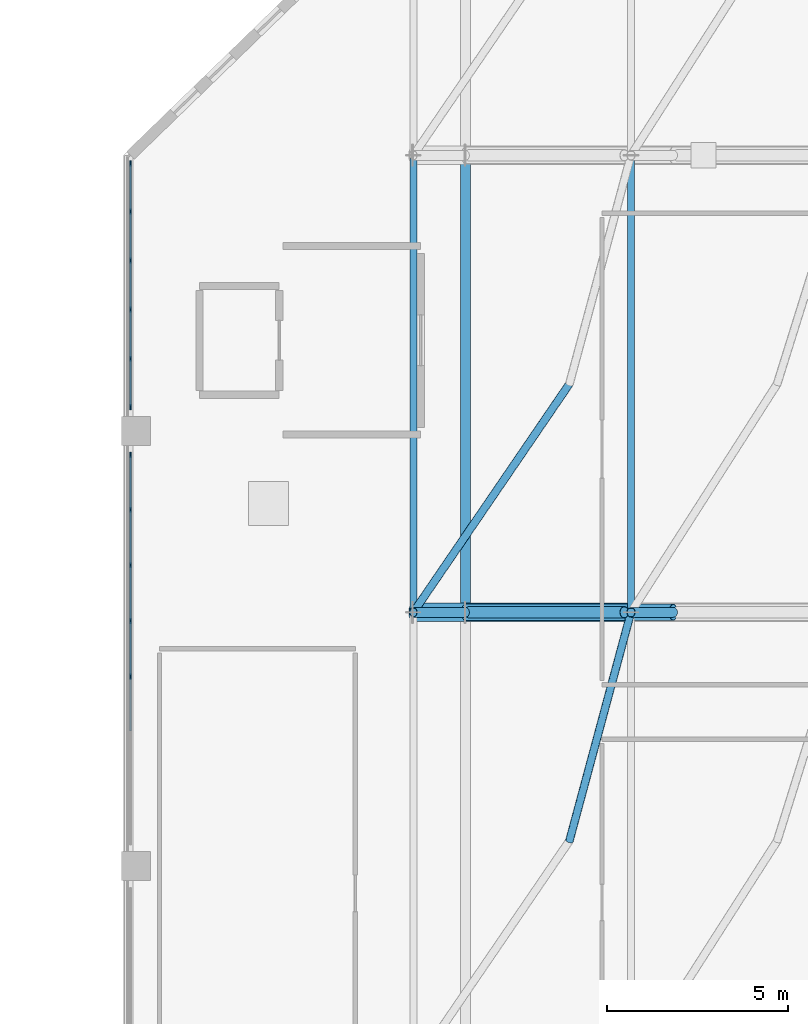
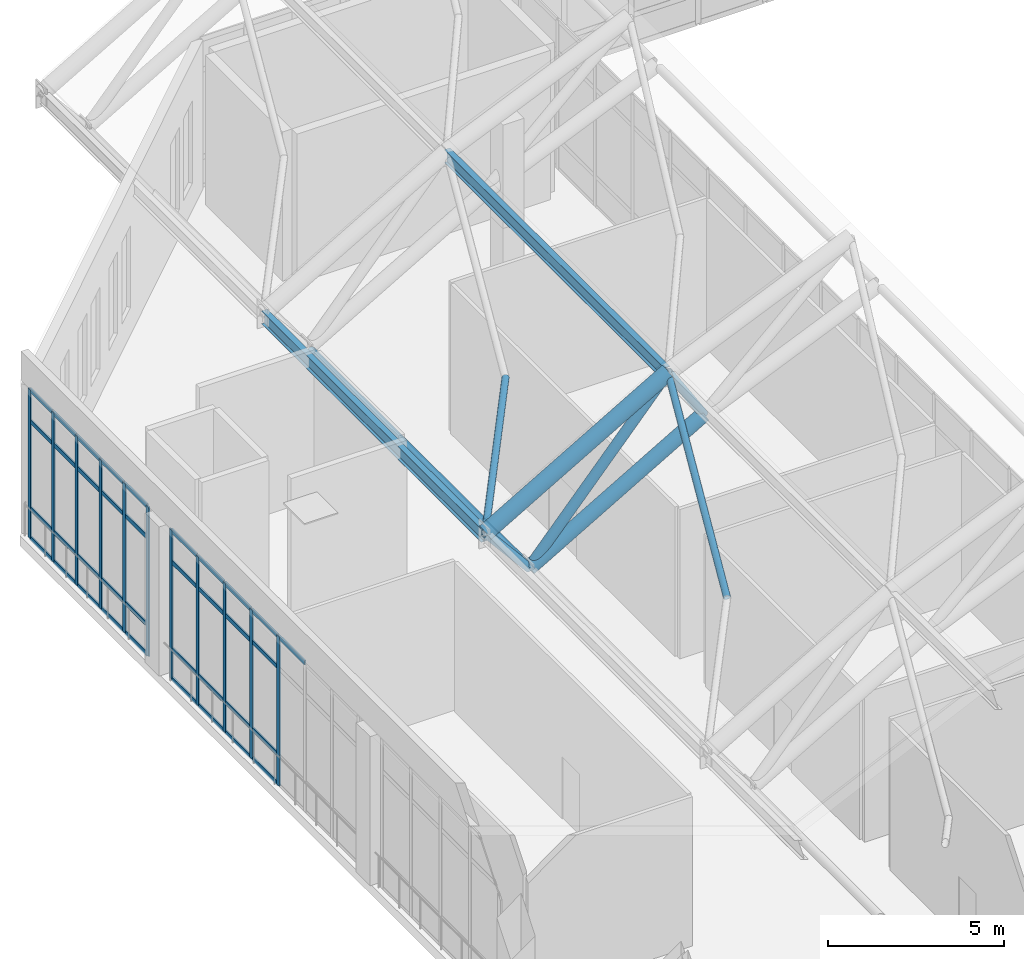
# One storey, part 14 of 42: 58 members, 2 elements without a shape of their own.
"""IFC4 building model written with IfcOpenShell, lengths in metres."""

from ifc_helpers import new_model, si_unit, derived_unit, direction, frame, origin, origin_2d, place, context, subcontext, project, spatial, rectangle, hollow_circle, i_section, extrude, material, layer, layer_set, material_profile, profile_set, type_object, element, aggregate, save


model = new_model("IFC4")

# Units and contexts
model_context = context("Model", 3, precision=1e-05, world=origin(), true_north=direction((0.0, 1.0)))
body_context = subcontext(model_context, "Body", "Model", "MODEL_VIEW")
ifc_project = project(units=[si_unit("LENGTHUNIT", "METRE"), si_unit("AREAUNIT", "SQUARE_METRE"), si_unit("VOLUMEUNIT", "CUBIC_METRE"), si_unit("PLANEANGLEUNIT", "RADIAN"), si_unit("MASSUNIT", "GRAM", prefix="KILO"), derived_unit("THERMALTRANSMITTANCEUNIT", [(si_unit("MASSUNIT", "GRAM", prefix="KILO"), 1), (si_unit("TIMEUNIT", "SECOND"), -3), (si_unit("THERMODYNAMICTEMPERATUREUNIT", "KELVIN"), -1)])], contexts=[model_context])

# Site, building, storey
site_placement = place(None, origin())
site = spatial("IfcSite", under=ifc_project, at=site_placement, CompositionType="ELEMENT")
building_placement = place(site_placement, origin())
building = spatial("IfcBuilding", under=site, at=building_placement, Name="Valcora Ridge Arena", CompositionType="ELEMENT")
storey_placement = place(building_placement, frame((0.0, 0.0, 26.39990234375)))
storey = spatial("IfcBuildingStorey", under=building, at=storey_placement, Name="L05", CompositionType="ELEMENT", Elevation=26.39990234375)

# Curtain wall, members
ifc_material_1 = material(Name="Anodised dark bronze architectural aluminium 6063-T6", Category="aluminium")
ifc_layer_1 = layer(ifc_material_1, 0.14990234375, Name="Anodised dark bronze architectural aluminium 6063-T6")
ifc_layer_set_1 = layer_set([ifc_layer_1], Name="Anodised dark bronze architectural aluminium 6063-T6")
curtain_wall_type_1 = type_object("IfcCurtainWallType", Name="TY-CURTAINWALL-CW-V1-SKY-107X52", PredefinedType="NOTDEFINED", material=ifc_layer_set_1)
curtain_wall_1_placement = place(storey_placement, origin())
curtain_wall_1 = element("IfcCurtainWall", 1, at=curtain_wall_1_placement, inside=storey, type_object=curtain_wall_type_1, Name="CW-V1-SKY-107X52 CW-0167", PredefinedType="NOTDEFINED")
ifc_material_profile_1 = material_profile(ifc_material_1, rectangle(XDim=0.050048828125, YDim=0.14990234375, at=origin_2d()), Name="ALU MULLION 50x150")
ifc_profile_set_1 = profile_set([ifc_material_profile_1], Name="Anodised dark bronze architectural aluminium 6063-T6")
member_type_1 = type_object("IfcMemberType", Name="TY-MEM-CWM-50x150", PredefinedType="MULLION", material=ifc_profile_set_1)
member_1_placement = place(storey_placement, frame((16.199951171875, 81.234375, 0.0), z_axis=(0.0, 0.0, 1.0), x_axis=(-1.0, 0.0, 0.0)))
member_1 = element("IfcMember", 2, at=member_1_placement, type_object=member_type_1, Name="CW-0167/CWM-50x150/M03", PredefinedType="MULLION", context=body_context, shape_type="SweptSolid", body=[
    extrude(rectangle(XDim=0.050048828125, YDim=0.14990234375, at=origin_2d()), origin(), (0.0, 0.0, 1.0), 5.18017578125),
])
member_2_placement = place(storey_placement, frame((16.199951171875, 82.765625, 0.0), z_axis=(0.0, 0.0, 1.0), x_axis=(-1.0, 0.0, 0.0)))
member_2 = element("IfcMember", 3, at=member_2_placement, type_object=member_type_1, Name="CW-0167/CWM-50x150/M04", PredefinedType="MULLION", context=body_context, shape_type="SweptSolid", body=[
    extrude(rectangle(XDim=0.050048828125, YDim=0.14990234375, at=origin_2d()), origin(), (0.0, 0.0, 1.0), 5.18017578125),
])
member_3_placement = place(storey_placement, frame((16.199951171875, 84.297119140625, 0.0), z_axis=(0.0, 0.0, 1.0), x_axis=(-1.0, 0.0, 0.0)))
member_3 = element("IfcMember", 4, at=member_3_placement, type_object=member_type_1, Name="CW-0167/CWM-50x150/M05", PredefinedType="MULLION", context=body_context, shape_type="SweptSolid", body=[
    extrude(rectangle(XDim=0.050048828125, YDim=0.14990234375, at=origin_2d()), origin(), (0.0, 0.0, 1.0), 5.18017578125),
])
member_4_placement = place(storey_placement, frame((16.199951171875, 85.82861328125, 0.0), z_axis=(0.0, 0.0, 1.0), x_axis=(-1.0, 0.0, 0.0)))
member_4 = element("IfcMember", 5, at=member_4_placement, type_object=member_type_1, Name="CW-0167/CWM-50x150/M06", PredefinedType="MULLION", context=body_context, shape_type="SweptSolid", body=[
    extrude(rectangle(XDim=0.050048828125, YDim=0.14990234375, at=origin_2d()), origin(), (0.0, 0.0, 1.0), 5.18017578125),
])
member_5_placement = place(storey_placement, frame((16.199951171875, 87.3349609375, 0.0), z_axis=(0.0, 0.0, 1.0), x_axis=(-1.0, 0.0, 0.0)))
member_5 = element("IfcMember", 6, at=member_5_placement, type_object=member_type_1, Name="CW-0167/CWM-50x150/M07", PredefinedType="MULLION", context=body_context, shape_type="SweptSolid", body=[
    extrude(rectangle(XDim=0.050048828125, YDim=0.14990234375, at=origin_2d()), origin(), (0.0, 0.0, 1.0), 5.18017578125),
])

ifc_layer_2 = layer(ifc_material_1, 0.14990234375, Name="Anodised dark bronze architectural aluminium 6063-T6")
ifc_layer_set_2 = layer_set([ifc_layer_2], Name="Anodised dark bronze architectural aluminium 6063-T6")
curtain_wall_type_2 = type_object("IfcCurtainWallType", Name="TY-CURTAINWALL-CW-V1-SKY-068X52", PredefinedType="NOTDEFINED", material=ifc_layer_set_2)
curtain_wall_2_placement = place(storey_placement, origin())
curtain_wall_2 = element("IfcCurtainWall", 7, at=curtain_wall_2_placement, inside=storey, type_object=curtain_wall_type_2, Name="CW-V1-SKY-068X52 CW-0168", PredefinedType="NOTDEFINED")
member_6_placement = place(storey_placement, frame((16.199951171875, 88.6650390625, 0.0), z_axis=(0.0, 0.0, 1.0), x_axis=(-1.0, 0.0, 0.0)))
member_6 = element("IfcMember", 8, at=member_6_placement, type_object=member_type_1, Name="CW-0168/CWM-50x150/M00", PredefinedType="MULLION", context=body_context, shape_type="SweptSolid", body=[
    extrude(rectangle(XDim=0.050048828125, YDim=0.14990234375, at=origin_2d()), origin(), (0.0, 0.0, 1.0), 5.18017578125),
])
member_7_placement = place(storey_placement, frame((16.199951171875, 89.991943359375, 0.0), z_axis=(0.0, 0.0, 1.0), x_axis=(-1.0, 0.0, 0.0)))
member_7 = element("IfcMember", 9, at=member_7_placement, type_object=member_type_1, Name="CW-0168/CWM-50x150/M01", PredefinedType="MULLION", context=body_context, shape_type="SweptSolid", body=[
    extrude(rectangle(XDim=0.050048828125, YDim=0.14990234375, at=origin_2d()), origin(), (0.0, 0.0, 1.0), 5.18017578125),
])
member_8_placement = place(storey_placement, frame((16.199951171875, 91.343994140625, 0.0), z_axis=(0.0, 0.0, 1.0), x_axis=(-1.0, 0.0, 0.0)))
member_8 = element("IfcMember", 10, at=member_8_placement, type_object=member_type_1, Name="CW-0168/CWM-50x150/M02", PredefinedType="MULLION", context=body_context, shape_type="SweptSolid", body=[
    extrude(rectangle(XDim=0.050048828125, YDim=0.14990234375, at=origin_2d()), origin(), (0.0, 0.0, 1.0), 5.18017578125),
])
member_9_placement = place(storey_placement, frame((16.199951171875, 92.696044921875, 0.0), z_axis=(0.0, 0.0, 1.0), x_axis=(-1.0, 0.0, 0.0)))
member_9 = element("IfcMember", 11, at=member_9_placement, type_object=member_type_1, Name="CW-0168/CWM-50x150/M03", PredefinedType="MULLION", context=body_context, shape_type="SweptSolid", body=[
    extrude(rectangle(XDim=0.050048828125, YDim=0.14990234375, at=origin_2d()), origin(), (0.0, 0.0, 1.0), 5.18017578125),
])
member_10_placement = place(storey_placement, frame((16.199951171875, 94.048095703125, 0.0), z_axis=(0.0, 0.0, 1.0), x_axis=(-1.0, 0.0, 0.0)))
member_10 = element("IfcMember", 12, at=member_10_placement, type_object=member_type_1, Name="CW-0168/CWM-50x150/M04", PredefinedType="MULLION", context=body_context, shape_type="SweptSolid", body=[
    extrude(rectangle(XDim=0.050048828125, YDim=0.14990234375, at=origin_2d()), origin(), (0.0, 0.0, 1.0), 5.18017578125),
])
member_11_placement = place(storey_placement, frame((16.199951171875, 95.375, 0.0), z_axis=(0.0, 0.0, 1.0), x_axis=(-1.0, 0.0, 0.0)))
member_11 = element("IfcMember", 13, at=member_11_placement, type_object=member_type_1, Name="CW-0168/CWM-50x150/M05", PredefinedType="MULLION", context=body_context, shape_type="SweptSolid", body=[
    extrude(rectangle(XDim=0.050048828125, YDim=0.14990234375, at=origin_2d()), origin(), (0.0, 0.0, 1.0), 5.18017578125),
])

# Member
ifc_material_profile_2 = material_profile(ifc_material_1, rectangle(XDim=0.050048828125, YDim=0.14990234375, at=origin_2d()), Name="ALU TRANSOM 50x150")
ifc_profile_set_2 = profile_set([ifc_material_profile_2], Name="Anodised dark bronze architectural aluminium 6063-T6")
member_type_2 = type_object("IfcMemberType", Name="TY-MEM-CWT-50x150", PredefinedType="USERDEFINED", material=ifc_profile_set_2)
member_12_placement = place(storey_placement, frame((16.199951171875, 79.72802734375, 5.155029296875), z_axis=(0.0, 1.0, 0.0), x_axis=(-1.0, 0.0, 0.0)))
member_12 = element("IfcMember", 14, at=member_12_placement, type_object=member_type_2, Name="CW-0167/CWT-50x150/T02-03", ObjectType="TRANSOM", PredefinedType="USERDEFINED", context=body_context, shape_type="SweptSolid", body=[
    extrude(rectangle(XDim=0.050048828125, YDim=0.14990234375, at=origin_2d()), origin(), (0.0, 0.0, 1.0), 1.48095703125),
])

member_13_placement = place(storey_placement, frame((16.199951171875, 81.259033203125, 0.025146484375), z_axis=(0.0, 1.0, 0.0), x_axis=(-1.0, 0.0, 0.0)))
member_13 = element("IfcMember", 15, at=member_13_placement, type_object=member_type_2, Name="CW-0167/CWT-50x150/T03-00", ObjectType="TRANSOM", PredefinedType="USERDEFINED", context=body_context, shape_type="SweptSolid", body=[
    extrude(rectangle(XDim=0.050048828125, YDim=0.14990234375, at=origin_2d()), origin(), (0.0, 0.0, 1.0), 1.48193359375),
])

member_14_placement = place(storey_placement, frame((16.199951171875, 81.259033203125, 1.050048828125), z_axis=(0.0, 1.0, 0.0), x_axis=(-1.0, 0.0, 0.0)))
member_14 = element("IfcMember", 16, at=member_14_placement, type_object=member_type_2, Name="CW-0167/CWT-50x150/T03-01", ObjectType="TRANSOM", PredefinedType="USERDEFINED", context=body_context, shape_type="SweptSolid", body=[
    extrude(rectangle(XDim=0.050048828125, YDim=0.14990234375, at=origin_2d()), origin(), (0.0, 0.0, 1.0), 1.48193359375),
])

member_15_placement = place(storey_placement, frame((16.199951171875, 81.259033203125, 4.080078125), z_axis=(0.0, 1.0, 0.0), x_axis=(-1.0, 0.0, 0.0)))
member_15 = element("IfcMember", 17, at=member_15_placement, type_object=member_type_2, Name="CW-0167/CWT-50x150/T03-02", ObjectType="TRANSOM", PredefinedType="USERDEFINED", context=body_context, shape_type="SweptSolid", body=[
    extrude(rectangle(XDim=0.050048828125, YDim=0.14990234375, at=origin_2d()), origin(), (0.0, 0.0, 1.0), 1.48193359375),
])

member_16_placement = place(storey_placement, frame((16.199951171875, 81.259033203125, 5.155029296875), z_axis=(0.0, 1.0, 0.0), x_axis=(-1.0, 0.0, 0.0)))
member_16 = element("IfcMember", 18, at=member_16_placement, type_object=member_type_2, Name="CW-0167/CWT-50x150/T03-03", ObjectType="TRANSOM", PredefinedType="USERDEFINED", context=body_context, shape_type="SweptSolid", body=[
    extrude(rectangle(XDim=0.050048828125, YDim=0.14990234375, at=origin_2d()), origin(), (0.0, 0.0, 1.0), 1.48193359375),
])

member_17_placement = place(storey_placement, frame((16.199951171875, 82.791015625, 0.025146484375), z_axis=(0.0, 1.0, 0.0), x_axis=(-1.0, 0.0, 0.0)))
member_17 = element("IfcMember", 19, at=member_17_placement, type_object=member_type_2, Name="CW-0167/CWT-50x150/T04-00", ObjectType="TRANSOM", PredefinedType="USERDEFINED", context=body_context, shape_type="SweptSolid", body=[
    extrude(rectangle(XDim=0.050048828125, YDim=0.14990234375, at=origin_2d()), origin(), (0.0, 0.0, 1.0), 1.48095703125),
])

member_18_placement = place(storey_placement, frame((16.199951171875, 82.791015625, 1.050048828125), z_axis=(0.0, 1.0, 0.0), x_axis=(-1.0, 0.0, 0.0)))
member_18 = element("IfcMember", 20, at=member_18_placement, type_object=member_type_2, Name="CW-0167/CWT-50x150/T04-01", ObjectType="TRANSOM", PredefinedType="USERDEFINED", context=body_context, shape_type="SweptSolid", body=[
    extrude(rectangle(XDim=0.050048828125, YDim=0.14990234375, at=origin_2d()), origin(), (0.0, 0.0, 1.0), 1.48095703125),
])

member_19_placement = place(storey_placement, frame((16.199951171875, 82.791015625, 4.080078125), z_axis=(0.0, 1.0, 0.0), x_axis=(-1.0, 0.0, 0.0)))
member_19 = element("IfcMember", 21, at=member_19_placement, type_object=member_type_2, Name="CW-0167/CWT-50x150/T04-02", ObjectType="TRANSOM", PredefinedType="USERDEFINED", context=body_context, shape_type="SweptSolid", body=[
    extrude(rectangle(XDim=0.050048828125, YDim=0.14990234375, at=origin_2d()), origin(), (0.0, 0.0, 1.0), 1.48095703125),
])

member_20_placement = place(storey_placement, frame((16.199951171875, 82.791015625, 5.155029296875), z_axis=(0.0, 1.0, 0.0), x_axis=(-1.0, 0.0, 0.0)))
member_20 = element("IfcMember", 22, at=member_20_placement, type_object=member_type_2, Name="CW-0167/CWT-50x150/T04-03", ObjectType="TRANSOM", PredefinedType="USERDEFINED", context=body_context, shape_type="SweptSolid", body=[
    extrude(rectangle(XDim=0.050048828125, YDim=0.14990234375, at=origin_2d()), origin(), (0.0, 0.0, 1.0), 1.48095703125),
])

member_21_placement = place(storey_placement, frame((16.199951171875, 84.322021484375, 0.025146484375), z_axis=(0.0, 1.0, 0.0), x_axis=(-1.0, 0.0, 0.0)))
member_21 = element("IfcMember", 23, at=member_21_placement, type_object=member_type_2, Name="CW-0167/CWT-50x150/T05-00", ObjectType="TRANSOM", PredefinedType="USERDEFINED", context=body_context, shape_type="SweptSolid", body=[
    extrude(rectangle(XDim=0.050048828125, YDim=0.14990234375, at=origin_2d()), origin(), (0.0, 0.0, 1.0), 1.48193359375),
])

member_22_placement = place(storey_placement, frame((16.199951171875, 84.322021484375, 1.050048828125), z_axis=(0.0, 1.0, 0.0), x_axis=(-1.0, 0.0, 0.0)))
member_22 = element("IfcMember", 24, at=member_22_placement, type_object=member_type_2, Name="CW-0167/CWT-50x150/T05-01", ObjectType="TRANSOM", PredefinedType="USERDEFINED", context=body_context, shape_type="SweptSolid", body=[
    extrude(rectangle(XDim=0.050048828125, YDim=0.14990234375, at=origin_2d()), origin(), (0.0, 0.0, 1.0), 1.48193359375),
])

member_23_placement = place(storey_placement, frame((16.199951171875, 84.322021484375, 4.080078125), z_axis=(0.0, 1.0, 0.0), x_axis=(-1.0, 0.0, 0.0)))
member_23 = element("IfcMember", 25, at=member_23_placement, type_object=member_type_2, Name="CW-0167/CWT-50x150/T05-02", ObjectType="TRANSOM", PredefinedType="USERDEFINED", context=body_context, shape_type="SweptSolid", body=[
    extrude(rectangle(XDim=0.050048828125, YDim=0.14990234375, at=origin_2d()), origin(), (0.0, 0.0, 1.0), 1.48193359375),
])

member_24_placement = place(storey_placement, frame((16.199951171875, 84.322021484375, 5.155029296875), z_axis=(0.0, 1.0, 0.0), x_axis=(-1.0, 0.0, 0.0)))
member_24 = element("IfcMember", 26, at=member_24_placement, type_object=member_type_2, Name="CW-0167/CWT-50x150/T05-03", ObjectType="TRANSOM", PredefinedType="USERDEFINED", context=body_context, shape_type="SweptSolid", body=[
    extrude(rectangle(XDim=0.050048828125, YDim=0.14990234375, at=origin_2d()), origin(), (0.0, 0.0, 1.0), 1.48193359375),
])

member_25_placement = place(storey_placement, frame((16.199951171875, 85.85400390625, 0.025146484375), z_axis=(0.0, 1.0, 0.0), x_axis=(-1.0, 0.0, 0.0)))
member_25 = element("IfcMember", 27, at=member_25_placement, type_object=member_type_2, Name="CW-0167/CWT-50x150/T06-00", ObjectType="TRANSOM", PredefinedType="USERDEFINED", context=body_context, shape_type="SweptSolid", body=[
    extrude(rectangle(XDim=0.050048828125, YDim=0.14990234375, at=origin_2d()), origin(), (0.0, 0.0, 1.0), 1.4560546875),
])

member_26_placement = place(storey_placement, frame((16.199951171875, 85.85400390625, 1.050048828125), z_axis=(0.0, 1.0, 0.0), x_axis=(-1.0, 0.0, 0.0)))
member_26 = element("IfcMember", 28, at=member_26_placement, type_object=member_type_2, Name="CW-0167/CWT-50x150/T06-01", ObjectType="TRANSOM", PredefinedType="USERDEFINED", context=body_context, shape_type="SweptSolid", body=[
    extrude(rectangle(XDim=0.050048828125, YDim=0.14990234375, at=origin_2d()), origin(), (0.0, 0.0, 1.0), 1.4560546875),
])

member_27_placement = place(storey_placement, frame((16.199951171875, 85.85400390625, 4.080078125), z_axis=(0.0, 1.0, 0.0), x_axis=(-1.0, 0.0, 0.0)))
member_27 = element("IfcMember", 29, at=member_27_placement, type_object=member_type_2, Name="CW-0167/CWT-50x150/T06-02", ObjectType="TRANSOM", PredefinedType="USERDEFINED", context=body_context, shape_type="SweptSolid", body=[
    extrude(rectangle(XDim=0.050048828125, YDim=0.14990234375, at=origin_2d()), origin(), (0.0, 0.0, 1.0), 1.4560546875),
])

member_28_placement = place(storey_placement, frame((16.199951171875, 85.85400390625, 5.155029296875), z_axis=(0.0, 1.0, 0.0), x_axis=(-1.0, 0.0, 0.0)))
member_28 = element("IfcMember", 30, at=member_28_placement, type_object=member_type_2, Name="CW-0167/CWT-50x150/T06-03", ObjectType="TRANSOM", PredefinedType="USERDEFINED", context=body_context, shape_type="SweptSolid", body=[
    extrude(rectangle(XDim=0.050048828125, YDim=0.14990234375, at=origin_2d()), origin(), (0.0, 0.0, 1.0), 1.4560546875),
])

aggregate(curtain_wall_1, [member_1, member_2, member_3, member_4, member_5, member_12, member_13, member_14, member_15, member_16, member_17, member_18, member_19, member_20, member_21, member_22, member_23, member_24, member_25, member_26, member_27, member_28])

member_29_placement = place(storey_placement, frame((16.199951171875, 88.68994140625, 0.025146484375), z_axis=(0.0, 1.0, 0.0), x_axis=(-1.0, 0.0, 0.0)))
member_29 = element("IfcMember", 31, at=member_29_placement, type_object=member_type_2, Name="CW-0168/CWT-50x150/T00-00", ObjectType="TRANSOM", PredefinedType="USERDEFINED", context=body_context, shape_type="SweptSolid", body=[
    extrude(rectangle(XDim=0.050048828125, YDim=0.14990234375, at=origin_2d()), origin(), (0.0, 0.0, 1.0), 1.277099609375),
])

member_30_placement = place(storey_placement, frame((16.199951171875, 88.68994140625, 1.050048828125), z_axis=(0.0, 1.0, 0.0), x_axis=(-1.0, 0.0, 0.0)))
member_30 = element("IfcMember", 32, at=member_30_placement, type_object=member_type_2, Name="CW-0168/CWT-50x150/T00-01", ObjectType="TRANSOM", PredefinedType="USERDEFINED", context=body_context, shape_type="SweptSolid", body=[
    extrude(rectangle(XDim=0.050048828125, YDim=0.14990234375, at=origin_2d()), origin(), (0.0, 0.0, 1.0), 1.277099609375),
])

member_31_placement = place(storey_placement, frame((16.199951171875, 88.68994140625, 4.080078125), z_axis=(0.0, 1.0, 0.0), x_axis=(-1.0, 0.0, 0.0)))
member_31 = element("IfcMember", 33, at=member_31_placement, type_object=member_type_2, Name="CW-0168/CWT-50x150/T00-02", ObjectType="TRANSOM", PredefinedType="USERDEFINED", context=body_context, shape_type="SweptSolid", body=[
    extrude(rectangle(XDim=0.050048828125, YDim=0.14990234375, at=origin_2d()), origin(), (0.0, 0.0, 1.0), 1.277099609375),
])

member_32_placement = place(storey_placement, frame((16.199951171875, 88.68994140625, 5.155029296875), z_axis=(0.0, 1.0, 0.0), x_axis=(-1.0, 0.0, 0.0)))
member_32 = element("IfcMember", 34, at=member_32_placement, type_object=member_type_2, Name="CW-0168/CWT-50x150/T00-03", ObjectType="TRANSOM", PredefinedType="USERDEFINED", context=body_context, shape_type="SweptSolid", body=[
    extrude(rectangle(XDim=0.050048828125, YDim=0.14990234375, at=origin_2d()), origin(), (0.0, 0.0, 1.0), 1.277099609375),
])

member_33_placement = place(storey_placement, frame((16.199951171875, 90.01708984375, 0.025146484375), z_axis=(0.0, 1.0, 0.0), x_axis=(-1.0, 0.0, 0.0)))
member_33 = element("IfcMember", 35, at=member_33_placement, type_object=member_type_2, Name="CW-0168/CWT-50x150/T01-00", ObjectType="TRANSOM", PredefinedType="USERDEFINED", context=body_context, shape_type="SweptSolid", body=[
    extrude(rectangle(XDim=0.050048828125, YDim=0.14990234375, at=origin_2d()), origin(), (0.0, 0.0, 1.0), 1.302001953125),
])

member_34_placement = place(storey_placement, frame((16.199951171875, 90.01708984375, 1.050048828125), z_axis=(0.0, 1.0, 0.0), x_axis=(-1.0, 0.0, 0.0)))
member_34 = element("IfcMember", 36, at=member_34_placement, type_object=member_type_2, Name="CW-0168/CWT-50x150/T01-01", ObjectType="TRANSOM", PredefinedType="USERDEFINED", context=body_context, shape_type="SweptSolid", body=[
    extrude(rectangle(XDim=0.050048828125, YDim=0.14990234375, at=origin_2d()), origin(), (0.0, 0.0, 1.0), 1.302001953125),
])

member_35_placement = place(storey_placement, frame((16.199951171875, 90.01708984375, 4.080078125), z_axis=(0.0, 1.0, 0.0), x_axis=(-1.0, 0.0, 0.0)))
member_35 = element("IfcMember", 37, at=member_35_placement, type_object=member_type_2, Name="CW-0168/CWT-50x150/T01-02", ObjectType="TRANSOM", PredefinedType="USERDEFINED", context=body_context, shape_type="SweptSolid", body=[
    extrude(rectangle(XDim=0.050048828125, YDim=0.14990234375, at=origin_2d()), origin(), (0.0, 0.0, 1.0), 1.302001953125),
])

member_36_placement = place(storey_placement, frame((16.199951171875, 90.01708984375, 5.155029296875), z_axis=(0.0, 1.0, 0.0), x_axis=(-1.0, 0.0, 0.0)))
member_36 = element("IfcMember", 38, at=member_36_placement, type_object=member_type_2, Name="CW-0168/CWT-50x150/T01-03", ObjectType="TRANSOM", PredefinedType="USERDEFINED", context=body_context, shape_type="SweptSolid", body=[
    extrude(rectangle(XDim=0.050048828125, YDim=0.14990234375, at=origin_2d()), origin(), (0.0, 0.0, 1.0), 1.302001953125),
])

member_37_placement = place(storey_placement, frame((16.199951171875, 91.368896484375, 0.025146484375), z_axis=(0.0, 1.0, 0.0), x_axis=(-1.0, 0.0, 0.0)))
member_37 = element("IfcMember", 39, at=member_37_placement, type_object=member_type_2, Name="CW-0168/CWT-50x150/T02-00", ObjectType="TRANSOM", PredefinedType="USERDEFINED", context=body_context, shape_type="SweptSolid", body=[
    extrude(rectangle(XDim=0.050048828125, YDim=0.14990234375, at=origin_2d()), origin(), (0.0, 0.0, 1.0), 1.302001953125),
])

member_38_placement = place(storey_placement, frame((16.199951171875, 91.368896484375, 1.050048828125), z_axis=(0.0, 1.0, 0.0), x_axis=(-1.0, 0.0, 0.0)))
member_38 = element("IfcMember", 40, at=member_38_placement, type_object=member_type_2, Name="CW-0168/CWT-50x150/T02-01", ObjectType="TRANSOM", PredefinedType="USERDEFINED", context=body_context, shape_type="SweptSolid", body=[
    extrude(rectangle(XDim=0.050048828125, YDim=0.14990234375, at=origin_2d()), origin(), (0.0, 0.0, 1.0), 1.302001953125),
])

member_39_placement = place(storey_placement, frame((16.199951171875, 91.368896484375, 4.080078125), z_axis=(0.0, 1.0, 0.0), x_axis=(-1.0, 0.0, 0.0)))
member_39 = element("IfcMember", 41, at=member_39_placement, type_object=member_type_2, Name="CW-0168/CWT-50x150/T02-02", ObjectType="TRANSOM", PredefinedType="USERDEFINED", context=body_context, shape_type="SweptSolid", body=[
    extrude(rectangle(XDim=0.050048828125, YDim=0.14990234375, at=origin_2d()), origin(), (0.0, 0.0, 1.0), 1.302001953125),
])

member_40_placement = place(storey_placement, frame((16.199951171875, 91.368896484375, 5.155029296875), z_axis=(0.0, 1.0, 0.0), x_axis=(-1.0, 0.0, 0.0)))
member_40 = element("IfcMember", 42, at=member_40_placement, type_object=member_type_2, Name="CW-0168/CWT-50x150/T02-03", ObjectType="TRANSOM", PredefinedType="USERDEFINED", context=body_context, shape_type="SweptSolid", body=[
    extrude(rectangle(XDim=0.050048828125, YDim=0.14990234375, at=origin_2d()), origin(), (0.0, 0.0, 1.0), 1.302001953125),
])

member_41_placement = place(storey_placement, frame((16.199951171875, 92.720947265625, 0.025146484375), z_axis=(0.0, 1.0, 0.0), x_axis=(-1.0, 0.0, 0.0)))
member_41 = element("IfcMember", 43, at=member_41_placement, type_object=member_type_2, Name="CW-0168/CWT-50x150/T03-00", ObjectType="TRANSOM", PredefinedType="USERDEFINED", context=body_context, shape_type="SweptSolid", body=[
    extrude(rectangle(XDim=0.050048828125, YDim=0.14990234375, at=origin_2d()), origin(), (0.0, 0.0, 1.0), 1.302001953125),
])

member_42_placement = place(storey_placement, frame((16.199951171875, 92.720947265625, 1.050048828125), z_axis=(0.0, 1.0, 0.0), x_axis=(-1.0, 0.0, 0.0)))
member_42 = element("IfcMember", 44, at=member_42_placement, type_object=member_type_2, Name="CW-0168/CWT-50x150/T03-01", ObjectType="TRANSOM", PredefinedType="USERDEFINED", context=body_context, shape_type="SweptSolid", body=[
    extrude(rectangle(XDim=0.050048828125, YDim=0.14990234375, at=origin_2d()), origin(), (0.0, 0.0, 1.0), 1.302001953125),
])

member_43_placement = place(storey_placement, frame((16.199951171875, 92.720947265625, 4.080078125), z_axis=(0.0, 1.0, 0.0), x_axis=(-1.0, 0.0, 0.0)))
member_43 = element("IfcMember", 45, at=member_43_placement, type_object=member_type_2, Name="CW-0168/CWT-50x150/T03-02", ObjectType="TRANSOM", PredefinedType="USERDEFINED", context=body_context, shape_type="SweptSolid", body=[
    extrude(rectangle(XDim=0.050048828125, YDim=0.14990234375, at=origin_2d()), origin(), (0.0, 0.0, 1.0), 1.302001953125),
])

member_44_placement = place(storey_placement, frame((16.199951171875, 92.720947265625, 5.155029296875), z_axis=(0.0, 1.0, 0.0), x_axis=(-1.0, 0.0, 0.0)))
member_44 = element("IfcMember", 46, at=member_44_placement, type_object=member_type_2, Name="CW-0168/CWT-50x150/T03-03", ObjectType="TRANSOM", PredefinedType="USERDEFINED", context=body_context, shape_type="SweptSolid", body=[
    extrude(rectangle(XDim=0.050048828125, YDim=0.14990234375, at=origin_2d()), origin(), (0.0, 0.0, 1.0), 1.302001953125),
])

member_45_placement = place(storey_placement, frame((16.199951171875, 94.072998046875, 0.025146484375), z_axis=(0.0, 1.0, 0.0), x_axis=(-1.0, 0.0, 0.0)))
member_45 = element("IfcMember", 47, at=member_45_placement, type_object=member_type_2, Name="CW-0168/CWT-50x150/T04-00", ObjectType="TRANSOM", PredefinedType="USERDEFINED", context=body_context, shape_type="SweptSolid", body=[
    extrude(rectangle(XDim=0.050048828125, YDim=0.14990234375, at=origin_2d()), origin(), (0.0, 0.0, 1.0), 1.277099609375),
])

member_46_placement = place(storey_placement, frame((16.199951171875, 94.072998046875, 1.050048828125), z_axis=(0.0, 1.0, 0.0), x_axis=(-1.0, 0.0, 0.0)))
member_46 = element("IfcMember", 48, at=member_46_placement, type_object=member_type_2, Name="CW-0168/CWT-50x150/T04-01", ObjectType="TRANSOM", PredefinedType="USERDEFINED", context=body_context, shape_type="SweptSolid", body=[
    extrude(rectangle(XDim=0.050048828125, YDim=0.14990234375, at=origin_2d()), origin(), (0.0, 0.0, 1.0), 1.277099609375),
])

member_47_placement = place(storey_placement, frame((16.199951171875, 94.072998046875, 4.080078125), z_axis=(0.0, 1.0, 0.0), x_axis=(-1.0, 0.0, 0.0)))
member_47 = element("IfcMember", 49, at=member_47_placement, type_object=member_type_2, Name="CW-0168/CWT-50x150/T04-02", ObjectType="TRANSOM", PredefinedType="USERDEFINED", context=body_context, shape_type="SweptSolid", body=[
    extrude(rectangle(XDim=0.050048828125, YDim=0.14990234375, at=origin_2d()), origin(), (0.0, 0.0, 1.0), 1.277099609375),
])

member_48_placement = place(storey_placement, frame((16.199951171875, 94.072998046875, 5.155029296875), z_axis=(0.0, 1.0, 0.0), x_axis=(-1.0, 0.0, 0.0)))
member_48 = element("IfcMember", 50, at=member_48_placement, type_object=member_type_2, Name="CW-0168/CWT-50x150/T04-03", ObjectType="TRANSOM", PredefinedType="USERDEFINED", context=body_context, shape_type="SweptSolid", body=[
    extrude(rectangle(XDim=0.050048828125, YDim=0.14990234375, at=origin_2d()), origin(), (0.0, 0.0, 1.0), 1.277099609375),
])

aggregate(curtain_wall_2, [member_6, member_7, member_8, member_9, member_10, member_11, member_29, member_30, member_31, member_32, member_33, member_34, member_35, member_36, member_37, member_38, member_39, member_40, member_41, member_42, member_43, member_44, member_45, member_46, member_47, member_48])

# Members
ifc_material_2 = material(Name="Steel ASTM A572 Grade 50", Category="steel")
ifc_material_profile_3 = material_profile(ifc_material_2, i_section(OverallWidth=0.18994140625, OverallDepth=0.45703125, WebThickness=0.009033203125, FlangeThickness=0.014404296875, FilletRadius=0.014892578125, at=origin_2d()), Name="W18X50")
ifc_profile_set_3 = profile_set([ifc_material_profile_3], Name="Steel ASTM A572 Grade 50")
member_type_3 = type_object("IfcMemberType", Name="TY-MEMBER-PUR-W18X50", PredefinedType="PURLIN", material=ifc_profile_set_3)
for number, where, z_axis, x_axis, name in (
    (51, (24.0, 83.050048828125, 4.845703125), (0.0, 1.0, 0.0), (-1.0, 0.0, 0.0), "PUR-W18X50 SF-PR-PUR-W18X50-0061"),
    (52, (30.0, 83.050048828125, 8.342529296875), (0.0, 1.0, 0.0), (-1.0, 0.0, 0.0), "PUR-W18X50 SF-PR-PUR-W18X50-0062"),
):
    element("IfcMember", number, at=place(storey_placement, frame(where, z_axis=z_axis, x_axis=x_axis)), inside=storey, type_object=member_type_3, Name=name, PredefinedType="PURLIN", context=body_context, shape_type="SweptSolid", body=[
        extrude(i_section(OverallWidth=0.18994140625, OverallDepth=0.45703125, WebThickness=0.009033203125, FlangeThickness=0.014404296875, FilletRadius=0.014892578125, at=origin_2d()), origin(), (0.0, 0.0, 1.0), 12.5),
    ])
ifc_material_3 = material(Name="Steel ASTM A500 Grade C", Category="steel")
ifc_material_profile_4 = material_profile(ifc_material_3, hollow_circle(Radius=0.228515625, WallThickness=0.01611328125, at=origin_2d()), Name="CHS457X16")
ifc_profile_set_4 = profile_set([ifc_material_profile_4], Name="Steel ASTM A500 Grade C")
member_type_4 = type_object("IfcMemberType", Name="TY-MEMBER-SFBC-457", PredefinedType="CHORD", material=ifc_profile_set_4)
member_49_placement = place(storey_placement, frame((25.438232421875, 83.0, 3.234130859375), z_axis=(0.864898384633, 0.0, 0.501946993476), x_axis=(0.0, 1.0, 0.0)))
element("IfcMember", 53, at=member_49_placement, inside=storey, type_object=member_type_4, Name="SFBC-457 Space Frame Bottom Chord", PredefinedType="CHORD", context=body_context, shape_type="SweptSolid", body=[
    extrude(hollow_circle(Radius=0.228515625, WallThickness=0.01611328125, at=origin_2d()), origin(), (0.0, 0.0, 1.0), 6.62353515625),
])
ifc_material_profile_5 = material_profile(ifc_material_3, hollow_circle(Radius=0.136474609375, WallThickness=0.012451171875, at=origin_2d()), Name="CHS273X12")
ifc_profile_set_5 = profile_set([ifc_material_profile_5], Name="Steel ASTM A500 Grade C")
member_type_5 = type_object("IfcMemberType", Name="TY-MEMBER-SFBT-273", PredefinedType="STRUT", material=ifc_profile_set_5)
member_50_placement = place(storey_placement, frame((25.438232421875, 83.179931640625, 3.234130859375), z_axis=(0.0, 1.0, 0.0), x_axis=(-1.0, 0.0, 0.0)))
element("IfcMember", 54, at=member_50_placement, inside=storey, type_object=member_type_5, Name="SFBT-273 Space Frame Bottom Strut", PredefinedType="STRUT", context=body_context, shape_type="SweptSolid", body=[
    extrude(hollow_circle(Radius=0.136474609375, WallThickness=0.012451171875, at=origin_2d()), origin(), (0.0, 0.0, 1.0), 12.239990234375),
])
ifc_material_profile_6 = material_profile(ifc_material_3, hollow_circle(Radius=0.136474609375, WallThickness=0.012451171875, at=origin_2d()), Name="CHS273X12")
ifc_profile_set_6 = profile_set([ifc_material_profile_6], Name="Steel ASTM A500 Grade C")
member_type_6 = type_object("IfcMemberType", Name="TY-MEMBER-SFKP-273", PredefinedType="POST", material=ifc_profile_set_6)
member_51_placement = place(storey_placement, frame((25.438232421875, 83.0, 3.234130859375), z_axis=(-0.642337596391, 0.0, 0.766421823974), x_axis=(0.0, -1.0, 0.0)))
element("IfcMember", 55, at=member_51_placement, inside=storey, type_object=member_type_6, Name="SFKP-273 Space Frame King Post", PredefinedType="POST", context=body_context, shape_type="SweptSolid", body=[
    extrude(hollow_circle(Radius=0.136474609375, WallThickness=0.012451171875, at=origin_2d()), origin(), (0.0, 0.0, 1.0), 2.239013671875),
])
member_52_placement = place(storey_placement, frame((31.1669921875, 83.0, 6.558837890625), z_axis=(-0.528755468485, 0.0, 0.848774207047), x_axis=(0.0, -1.0, 0.0)))
element("IfcMember", 56, at=member_52_placement, inside=storey, type_object=member_type_6, Name="SFKP-273 Space Frame King Post", PredefinedType="POST", context=body_context, shape_type="SweptSolid", body=[
    extrude(hollow_circle(Radius=0.136474609375, WallThickness=0.012451171875, at=origin_2d()), origin(), (0.0, 0.0, 1.0), 2.20703125),
])
ifc_material_profile_7 = material_profile(ifc_material_3, hollow_circle(Radius=0.109619140625, WallThickness=0.010009765625, at=origin_2d()), Name="CHS219X10")
ifc_profile_set_7 = profile_set([ifc_material_profile_7], Name="Steel ASTM A500 Grade C")
member_type_7 = type_object("IfcMemberType", Name="TY-MEMBER-SFST-219", PredefinedType="STRUT", material=ifc_profile_set_7)
member_53_placement = place(storey_placement, frame((28.302734375, 76.699951171875, 5.01220703125), z_axis=(0.230399293261, 0.855214868037, 0.464245296317), x_axis=(-0.965573476233, 0.260130471101, 0.0)))
element("IfcMember", 57, at=member_53_placement, inside=storey, type_object=member_type_7, Name="SFST-219 Space Frame Tie Strut", PredefinedType="STRUT", context=body_context, shape_type="SweptSolid", body=[
    extrude(hollow_circle(Radius=0.109619140625, WallThickness=0.010009765625, at=origin_2d()), origin(), (0.0, 0.0, 1.0), 7.36669921875),
])
member_54_placement = place(storey_placement, frame((28.302734375, 89.300048828125, 5.01220703125), z_axis=(-0.563966435839, -0.825757709761, -0.008127977457), x_axis=(0.825784987548, -0.563985065706, 0.0)))
element("IfcMember", 58, at=member_54_placement, inside=storey, type_object=member_type_7, Name="SFST-219 Space Frame Tie Strut", PredefinedType="STRUT", context=body_context, shape_type="SweptSolid", body=[
    extrude(hollow_circle(Radius=0.109619140625, WallThickness=0.010009765625, at=origin_2d()), origin(), (0.0, 0.0, 1.0), 7.62939453125),
])
ifc_material_profile_8 = material_profile(ifc_material_3, hollow_circle(Radius=0.25390625, WallThickness=0.01611328125, at=origin_2d()), Name="CHS508X16")
ifc_profile_set_8 = profile_set([ifc_material_profile_8], Name="Steel ASTM A500 Grade C")
member_type_8 = type_object("IfcMemberType", Name="TY-MEMBER-SFTC-508", PredefinedType="CHORD", material=ifc_profile_set_8)
member_55_placement = place(storey_placement, frame((24.0, 83.0, 4.9501953125), z_axis=(0.864910194439, 0.0, 0.501926643599), x_axis=(0.0, 1.0, 0.0)))
element("IfcMember", 59, at=member_55_placement, inside=storey, type_object=member_type_8, Name="SFTC-508 Space Frame Top Chord", PredefinedType="CHORD", context=body_context, shape_type="SweptSolid", body=[
    extrude(hollow_circle(Radius=0.25390625, WallThickness=0.01611328125, at=origin_2d()), origin(), (0.0, 0.0, 1.0), 6.937255859375),
])
ifc_material_profile_9 = material_profile(ifc_material_3, hollow_circle(Radius=0.161865234375, WallThickness=0.012451171875, at=origin_2d()), Name="CHS323X12")
ifc_profile_set_9 = profile_set([ifc_material_profile_9], Name="Steel ASTM A500 Grade C")
member_type_9 = type_object("IfcMemberType", Name="TY-MEMBER-SFWB-323", PredefinedType="BRACE", material=ifc_profile_set_9)
member_56_placement = place(storey_placement, frame((25.543701171875, 83.0, 3.3544921875), z_axis=(0.659614231512, 0.0, 0.751604327813), x_axis=(0.0, 1.0, 0.0)))
element("IfcMember", 60, at=member_56_placement, inside=storey, type_object=member_type_9, Name="SFWB-323 Space Frame Diagonal Brace", PredefinedType="BRACE", context=body_context, shape_type="SweptSolid", body=[
    extrude(hollow_circle(Radius=0.161865234375, WallThickness=0.012451171875, at=origin_2d()), origin(), (0.0, 0.0, 1.0), 6.475830078125),
])

save(model, "model.ifc")
